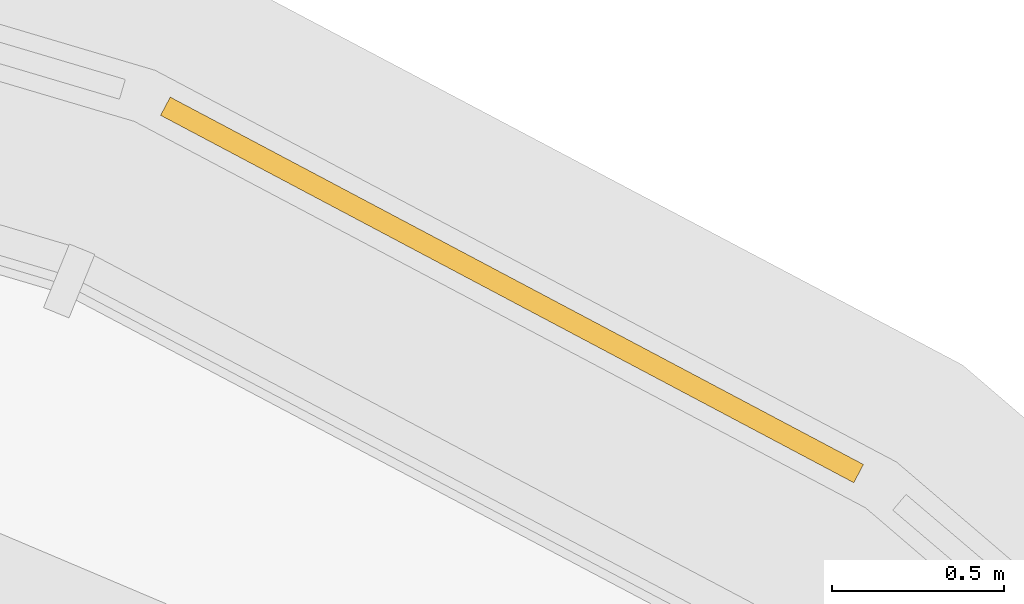
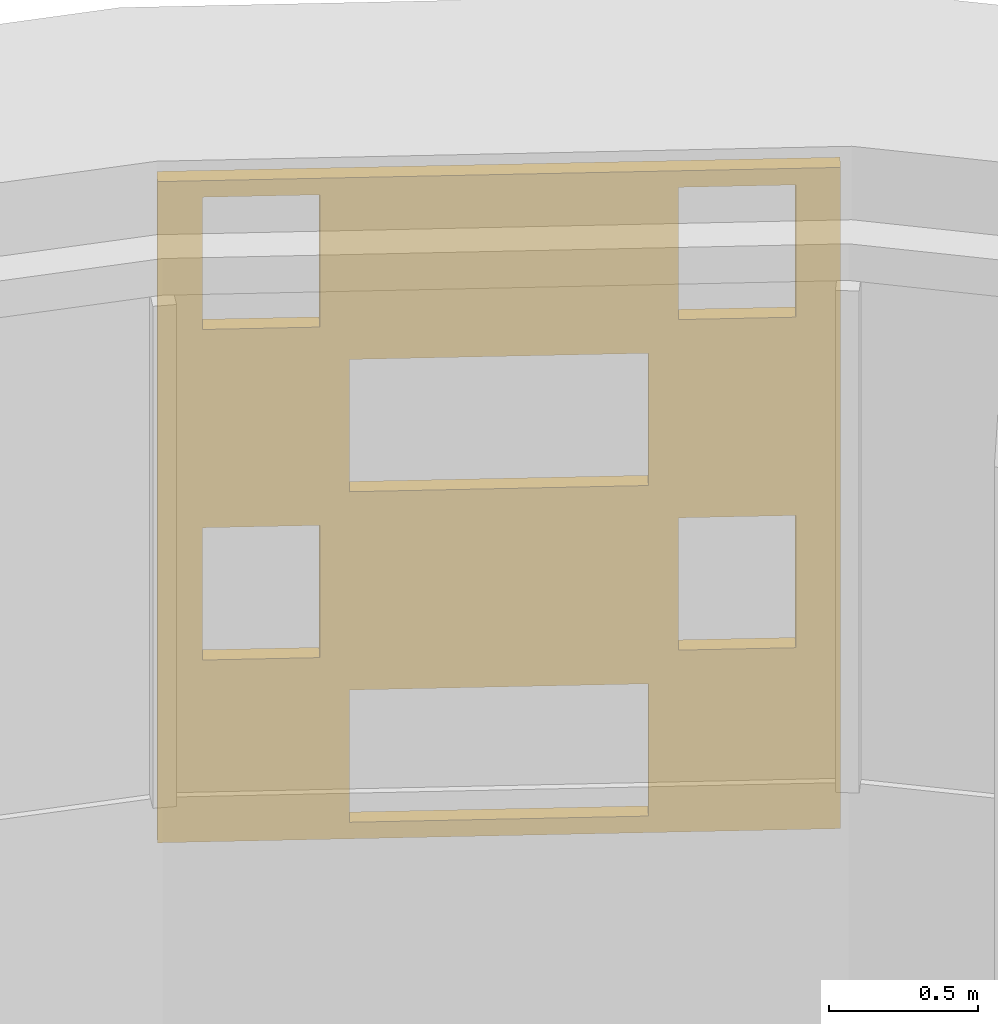
# One storey, part 15 of 15: 1 shading device.
"""IFC4 building model written with IfcOpenShell, lengths in metres."""

import ifcopenshell
import ifcopenshell.guid

model = None  # the IFC model being written
_history = None  # IfcOwnerHistory: only IFC2X3 demands one
_inside = {}  # id of a spatial element -> (the spatial element, [elements in it])
_under = {}  # id of a project, library or spatial element -> (it, [spatial elements below it])
_declared = {}  # id of a project -> (the project, [libraries it declares])
_typed = {}  # id of a type object -> (the type object, [elements of that type])
_made_of = {}  # id of a material, layer set ... -> (it, [elements and type objects made of it])


def new_model(schema):
    """Start an empty IFC model of exactly this schema.

    Asked for "IFC4X3", IfcOpenShell would pick the latest addendum, in which some entities
    have other attributes; the version numbers below select the first issue.
    IFC2X3 requires an IfcOwnerHistory on every rooted entity: one is made here for all.
    """
    global model, _history
    if schema == "IFC4X3":
        model = ifcopenshell.file(schema_version=(4, 3, 0, 0))
    else:
        model = ifcopenshell.file(schema=schema)
    _inside.clear()
    _under.clear()
    _declared.clear()
    _typed.clear()
    _made_of.clear()
    _history = None
    if model.schema == "IFC2X3":
        org = make("IfcOrganization", Name="unknown")
        user = make(
            "IfcPersonAndOrganization",
            ThePerson=make("IfcPerson", FamilyName="unknown"),
            TheOrganization=org,
        )
        app = make(
            "IfcApplication",
            ApplicationDeveloper=org,
            Version="unknown",
            ApplicationFullName="unknown",
            ApplicationIdentifier="unknown",
        )
        _history = make(
            "IfcOwnerHistory",
            OwningUser=user,
            OwningApplication=app,
            ChangeAction="ADDED",
            CreationDate=0,
        )
    return model


def make(cls, **values):
    """One entity of the class cls with the attributes given. An attribute that is None is left unset."""
    return model.create_entity(
        cls, **{name: value for name, value in values.items() if value is not None}
    )


def rooted(cls, **values):
    """An entity with a GlobalId (a new one), such as an element, a storey or a relation."""
    return make(cls, GlobalId=ifcopenshell.guid.new(), OwnerHistory=_history, **values)


def si_unit(unit_type, name, prefix=None):
    """IfcSIUnit, for example si_unit("LENGTHUNIT", "METRE", prefix="MILLI")."""
    return make("IfcSIUnit", UnitType=unit_type, Prefix=prefix, Name=name)


def assignment(units):
    """IfcUnitAssignment: the units of a project."""
    return None if units is None else make("IfcUnitAssignment", Units=units)


def point(xyz):
    """IfcCartesianPoint."""
    return None if xyz is None else make("IfcCartesianPoint", Coordinates=xyz)


def direction(xyz):
    """IfcDirection."""
    return None if xyz is None else make("IfcDirection", DirectionRatios=xyz)


def frame(location, z_axis=None, x_axis=None):
    """IfcAxis2Placement3D, a coordinate frame: its origin and axes. An axis left out is left unset."""
    return make(
        "IfcAxis2Placement3D",
        Location=point(location),
        Axis=direction(z_axis),
        RefDirection=direction(x_axis),
    )


def origin():
    """The frame at (0, 0, 0) with its axes left unset."""
    return frame((0.0, 0.0, 0.0))


def place(relative_to, where):
    """IfcLocalPlacement: puts the frame where relative to a parent placement (None: the world)."""
    return make(
        "IfcLocalPlacement", PlacementRelTo=relative_to, RelativePlacement=where
    )


def context(
    kind, dimensions, precision=None, world=None, true_north=None, identifier=None
):
    """IfcGeometricRepresentationContext, for example the 3D "Model" context."""
    return make(
        "IfcGeometricRepresentationContext",
        ContextIdentifier=identifier,
        ContextType=kind,
        CoordinateSpaceDimension=dimensions,
        Precision=precision,
        WorldCoordinateSystem=world,
        TrueNorth=true_north,
    )


def subcontext(parent, identifier, kind, view, scale=None):
    """IfcGeometricRepresentationSubContext, for example "Body" below "Model"."""
    return make(
        "IfcGeometricRepresentationSubContext",
        ContextIdentifier=identifier,
        ContextType=kind,
        ParentContext=parent,
        TargetScale=scale,
        TargetView=view,
    )


def project(units=None, contexts=None):
    """IfcProject with its units and contexts."""
    return rooted(
        "IfcProject",
        Name="project",
        RepresentationContexts=contexts,
        UnitsInContext=assignment(units),
    )


def spatial(cls, under=None, at=None, **own):
    """A site, building, storey or space (cls), placed at a placement, below another one or the project."""
    s = rooted(cls, ObjectPlacement=at, **own)
    if under is not None:
        _under.setdefault(under.id(), (under, []))[1].append(s)
    return s


def polyline(points):
    """IfcPolyline through the points."""
    return make("IfcPolyline", Points=[point(p) for p in points])


def outline(outer, holes=None, kind="AREA"):
    """IfcArbitraryClosedProfileDef: a profile drawn as a closed curve; with holes, ...WithVoids."""
    if holes is None:
        return make("IfcArbitraryClosedProfileDef", ProfileType=kind, OuterCurve=outer)
    return make(
        "IfcArbitraryProfileDefWithVoids",
        ProfileType=kind,
        OuterCurve=outer,
        InnerCurves=holes,
    )


def extrude(swept, where, along, depth):
    """IfcExtrudedAreaSolid: the profile swept, set in the frame where, extruded along a direction by depth."""
    return make(
        "IfcExtrudedAreaSolid",
        SweptArea=swept,
        Position=where,
        ExtrudedDirection=direction(along),
        Depth=depth,
    )


def shape(context_of_items, identifier, shape_type, items):
    """IfcShapeRepresentation: the items that make up one representation, for example the "Body"."""
    return make(
        "IfcShapeRepresentation",
        ContextOfItems=context_of_items,
        RepresentationIdentifier=identifier,
        RepresentationType=shape_type,
        Items=items,
    )


def material(Name=None, Category=None):
    """IfcMaterial."""
    return make("IfcMaterial", Name=Name, Category=Category)


def layer(
    of_material, thickness, ventilated=None, Name=None, Category=None, Priority=None
):
    """IfcMaterialLayer: one layer of a wall or slab, of a material (None: an air gap)."""
    return make(
        "IfcMaterialLayer",
        Material=of_material,
        LayerThickness=thickness,
        IsVentilated=ventilated,
        Name=Name,
        Category=Category,
        Priority=Priority,
    )


def layer_set(layers, Name=None):
    """IfcMaterialLayerSet."""
    return make("IfcMaterialLayerSet", MaterialLayers=layers, LayerSetName=Name)


def made_of(thing, what):
    """Note that an element or type object is made of a material, layer set ...; save() writes the relation."""
    if what is not None:
        _made_of.setdefault(what.id(), (what, []))[1].append(thing)
    return thing


def type_object(cls, material=None, **own):
    """A type object (cls), such as IfcWallType, which elements share."""
    return made_of(rooted(cls, **own), material)


def element(
    cls,
    number,
    at=None,
    inside=None,
    cuts=None,
    type_object=None,
    material=None,
    context=None,
    identifier="Body",
    shape_type=None,
    held_by="IfcProductDefinitionShape",
    body=None,
    shapes=None,
    **own,
):
    """One element of the class cls, such as IfcWall. Its Tag is "e" and its number.

    at: its placement. inside: the storey or other place that contains it. cuts: it is an
    opening in that element (IfcRelVoidsElement). A single representation is given by context,
    identifier, shape_type and body (its items); several are given by shapes. held_by: the class
    of the entity that holds the representations. save() writes the other relations.
    """
    e = rooted(cls, Tag="e%d" % number, ObjectPlacement=at, **own)
    if body is not None:
        shapes = [shape(context, identifier, shape_type, body)]
    if shapes is not None:
        e.Representation = make(held_by, Representations=shapes)
    if inside is not None:
        _inside.setdefault(inside.id(), (inside, []))[1].append(e)
    if cuts is not None:
        rooted(
            "IfcRelVoidsElement", RelatingBuildingElement=cuts, RelatedOpeningElement=e
        )
    if type_object is not None:
        _typed.setdefault(type_object.id(), (type_object, []))[1].append(e)
    return made_of(e, material)


def aggregate(whole, parts):
    """IfcRelAggregates: a whole, such as a stair, and the parts it consists of."""
    return rooted("IfcRelAggregates", RelatingObject=whole, RelatedObjects=parts)


def save(model, path):
    """Write the relations noted so far, then the file.

    IfcRelAggregates (storeys below a building ...), IfcRelContainedInSpatialStructure (elements
    in a storey), IfcRelDefinesByType, IfcRelAssociatesMaterial and IfcRelDeclares: one each for
    every whole, place, type object, material and project.
    """
    for whole, parts in _under.values():
        aggregate(whole, parts)
    for where, things in _inside.values():
        rooted(
            "IfcRelContainedInSpatialStructure",
            RelatedElements=things,
            RelatingStructure=where,
        )
    for kind, things in _typed.values():
        rooted("IfcRelDefinesByType", RelatedObjects=things, RelatingType=kind)
    for what, things in _made_of.values():
        rooted("IfcRelAssociatesMaterial", RelatedObjects=things, RelatingMaterial=what)
    for by, libraries in _declared.values():
        rooted("IfcRelDeclares", RelatingContext=by, RelatedDefinitions=libraries)
    model.write(path)


model = new_model("IFC4")

# Units and contexts
model_context = context("Model", 3, precision=1e-05, world=origin(), true_north=direction((0.0, 1.0)))
body_context = subcontext(model_context, "Body", "Model", "MODEL_VIEW")
ifc_project = project(units=[si_unit("LENGTHUNIT", "METRE"), si_unit("AREAUNIT", "SQUARE_METRE"), si_unit("VOLUMEUNIT", "CUBIC_METRE"), si_unit("PLANEANGLEUNIT", "RADIAN"), si_unit("MASSUNIT", "GRAM", prefix="KILO")], contexts=[model_context])

# Site, building, storey
site_placement = place(None, origin())
site = spatial("IfcSite", under=ifc_project, at=site_placement, CompositionType="ELEMENT")
building_placement = place(site_placement, origin())
building = spatial("IfcBuilding", under=site, at=building_placement, Name="Noor Cloister Tower", CompositionType="ELEMENT")
storey_placement = place(building_placement, frame((0.0, 0.0, 177.89990234375)))
storey = spatial("IfcBuildingStorey", under=building, at=storey_placement, Name="L45", CompositionType="ELEMENT", Elevation=177.89990234375)

# Shading device
ifc_material = material(Name="Limestone", Category="masonry")
ifc_layer = layer(ifc_material, 0.06005859375)
ifc_layer_set = layer_set([ifc_layer], Name="SCREEN woven limestone pod 32 percent open")
shading_device_type = type_object("IfcShadingDeviceType", Name="SCREEN woven limestone pod 32 percent open", PredefinedType="USERDEFINED", material=ifc_layer_set)
shading_device_placement = place(storey_placement, frame((28.041259765625, 15.589599609375, 1.85009765625), z_axis=(0.468261847765, 0.883589747523, 0.0), x_axis=(-0.883589747523, 0.468261847765, 0.0)))
element("IfcShadingDevice", 1, at=shading_device_placement, inside=storey, type_object=shading_device_type, Name="SCREEN L45 12", ObjectType="SCREEN", PredefinedType="USERDEFINED", context=body_context, shape_type="SweptSolid", body=[
    extrude(outline(polyline([(-1.1435546875, -1.35009765625), (1.1435546875, -1.35009765625), (1.1435546875, 1.35009765625), (-1.1435546875, 1.35009765625), (-1.1435546875, -1.35009765625)]), holes=[polyline([(-0.5, -1.282470703125), (0.5, -1.282470703125), (0.5, -0.742431640625), (-0.5, -0.742431640625), (-0.5, -1.282470703125)]), polyline([(0.60009765625, -0.607421875), (0.993408203125, -0.607421875), (0.993408203125, -0.0673828125), (0.60009765625, -0.0673828125), (0.60009765625, -0.607421875)]), polyline([(-0.993408203125, -0.607421875), (-0.60009765625, -0.607421875), (-0.60009765625, -0.0673828125), (-0.993408203125, -0.0673828125), (-0.993408203125, -0.607421875)]), polyline([(-0.5, 0.0673828125), (0.5, 0.0673828125), (0.5, 0.607421875), (-0.5, 0.607421875), (-0.5, 0.0673828125)]), polyline([(0.60009765625, 0.742431640625), (0.993408203125, 0.742431640625), (0.993408203125, 1.282470703125), (0.60009765625, 1.282470703125), (0.60009765625, 0.742431640625)]), polyline([(-0.993408203125, 0.742431640625), (-0.60009765625, 0.742431640625), (-0.60009765625, 1.282470703125), (-0.993408203125, 1.282470703125), (-0.993408203125, 0.742431640625)])]), origin(), (0.0, 0.0, 1.0), 0.06005859375),
])

save(model, "model.ifc")
